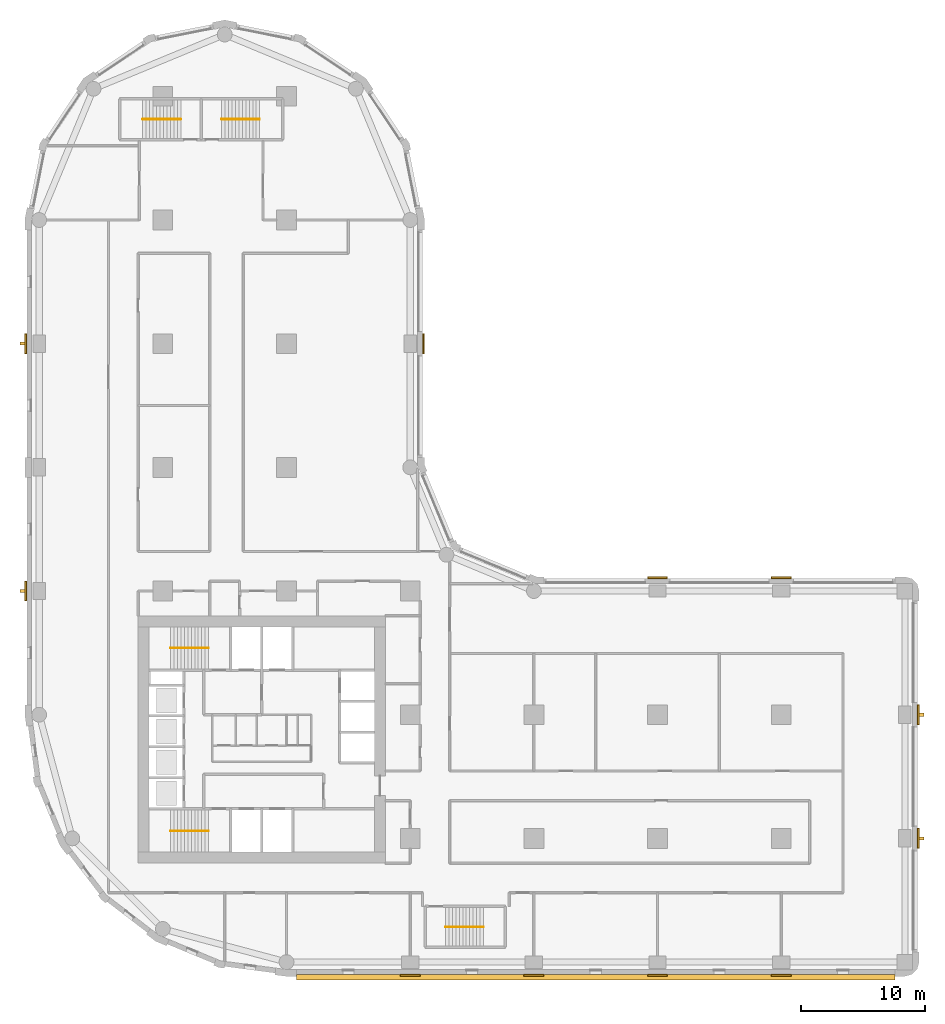
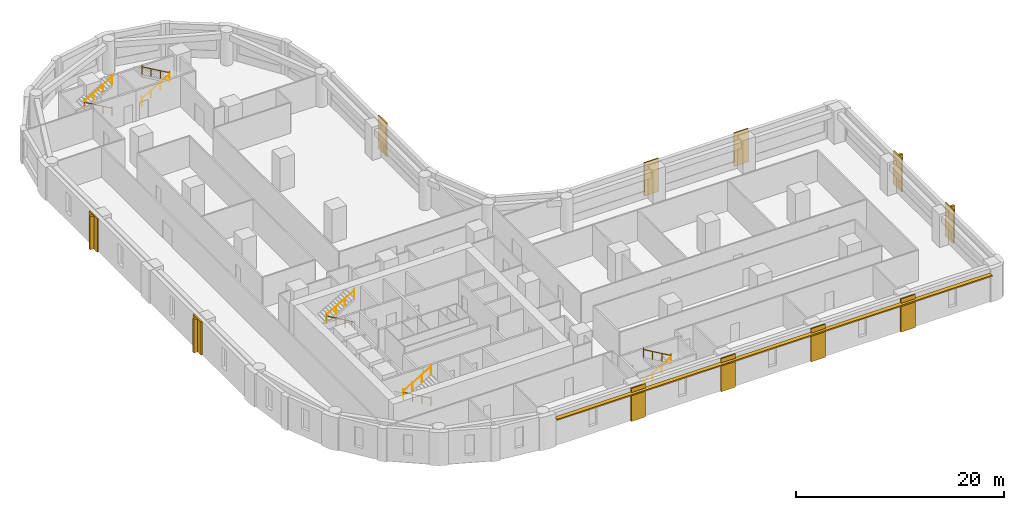
# One storey, part 10 of 11: 11 coverings, 10 railings, 5 shading devices.
"""IFC4 building model written with IfcOpenShell, lengths in metres."""

from ifc_helpers import new_model, si_unit, direction, frame, origin, origin_2d, place, context, subcontext, project, spatial, polyline, rectangle, circle, outline, extrude, material, layer, layer_set, type_object, element, save


model = new_model("IFC4")

# Units and contexts
model_context = context("Model", 3, precision=1e-05, world=origin(), true_north=direction((0.0, 1.0)))
body_context = subcontext(model_context, "Body", "Model", "MODEL_VIEW")
ifc_project = project(units=[si_unit("LENGTHUNIT", "METRE"), si_unit("AREAUNIT", "SQUARE_METRE"), si_unit("VOLUMEUNIT", "CUBIC_METRE"), si_unit("PLANEANGLEUNIT", "RADIAN"), si_unit("MASSUNIT", "GRAM", prefix="KILO")], contexts=[model_context])

# Site, building, storey
site_placement = place(None, origin())
site = spatial("IfcSite", under=ifc_project, at=site_placement, CompositionType="ELEMENT")
building_placement = place(site_placement, origin())
building = spatial("IfcBuilding", under=site, at=building_placement, Name="Qaws Garden Tower", CompositionType="ELEMENT")
storey_placement = place(building_placement, frame((0.0, 0.0, 90.0)))
storey = spatial("IfcBuildingStorey", under=building, at=storey_placement, Name="L22", CompositionType="ELEMENT", Elevation=90.0)

# Coverings
ifc_material_1 = material(Name="Clay facing brick masonry", Category="masonry")
ifc_layer_1 = layer(ifc_material_1, 0.14990234375)
ifc_layer_set_1 = layer_set([ifc_layer_1], Name="Clay facing brick masonry")
covering_type = type_object("IfcCoveringType", Name="Brick pilaster facing 150 x 1600", PredefinedType="CLADDING", material=ifc_layer_set_1)
placement = place(storey_placement, origin())
element("IfcCovering", 1, at=placement, inside=storey, type_object=covering_type, Name="E-L22-pier-01", PredefinedType="CLADDING", context=body_context, shape_type="SweptSolid", body=[
    extrude(outline(polyline([(29.199951171875, -1.0), (30.800048828125, -1.0), (30.800048828125, -1.14990234375), (29.199951171875, -1.14990234375), (29.199951171875, -1.0)])), origin(), (0.0, 0.0, 1.0), 3.89990234375),
])
element("IfcCovering", 2, at=placement, inside=storey, type_object=covering_type, Name="E-L22-pier-02", PredefinedType="CLADDING", context=body_context, shape_type="SweptSolid", body=[
    extrude(outline(polyline([(39.199951171875, -1.0), (40.800048828125, -1.0), (40.800048828125, -1.14990234375), (39.199951171875, -1.14990234375), (39.199951171875, -1.0)])), origin(), (0.0, 0.0, 1.0), 3.89990234375),
])
element("IfcCovering", 3, at=placement, inside=storey, type_object=covering_type, Name="E-L22-pier-03", PredefinedType="CLADDING", context=body_context, shape_type="SweptSolid", body=[
    extrude(outline(polyline([(49.199951171875, -1.0), (50.800048828125, -1.0), (50.800048828125, -1.14990234375), (49.199951171875, -1.14990234375), (49.199951171875, -1.0)])), origin(), (0.0, 0.0, 1.0), 3.89990234375),
])
element("IfcCovering", 4, at=placement, inside=storey, type_object=covering_type, Name="E-L22-pier-04", PredefinedType="CLADDING", context=body_context, shape_type="SweptSolid", body=[
    extrude(outline(polyline([(59.199951171875, -1.0), (60.800048828125, -1.0), (60.800048828125, -1.14990234375), (59.199951171875, -1.14990234375), (59.199951171875, -1.0)])), origin(), (0.0, 0.0, 1.0), 3.89990234375),
])
element("IfcCovering", 5, at=placement, inside=storey, type_object=covering_type, Name="E-L22-pier-06", PredefinedType="CLADDING", context=body_context, shape_type="SweptSolid", body=[
    extrude(outline(polyline([(71.0, 9.199951171875), (71.0, 10.800048828125), (71.14990234375, 10.800048828125), (71.14990234375, 9.199951171875), (71.0, 9.199951171875)])), origin(), (0.0, 0.0, 1.0), 3.89990234375),
])
element("IfcCovering", 6, at=placement, inside=storey, type_object=covering_type, Name="E-L22-pier-07", PredefinedType="CLADDING", context=body_context, shape_type="SweptSolid", body=[
    extrude(outline(polyline([(71.0, 19.199951171875), (71.0, 20.800048828125), (71.14990234375, 20.800048828125), (71.14990234375, 19.199951171875), (71.0, 19.199951171875)])), origin(), (0.0, 0.0, 1.0), 3.89990234375),
])
element("IfcCovering", 7, at=placement, inside=storey, type_object=covering_type, Name="E-L22-pier-09", PredefinedType="CLADDING", context=body_context, shape_type="SweptSolid", body=[
    extrude(outline(polyline([(60.800048828125, 31.0), (59.199951171875, 31.0), (59.199951171875, 31.14990234375), (60.800048828125, 31.14990234375), (60.800048828125, 31.0)])), origin(), (0.0, 0.0, 1.0), 3.89990234375),
])
element("IfcCovering", 8, at=placement, inside=storey, type_object=covering_type, Name="E-L22-pier-10", PredefinedType="CLADDING", context=body_context, shape_type="SweptSolid", body=[
    extrude(outline(polyline([(50.800048828125, 31.0), (49.199951171875, 31.0), (49.199951171875, 31.14990234375), (50.800048828125, 31.14990234375), (50.800048828125, 31.0)])), origin(), (0.0, 0.0, 1.0), 3.89990234375),
])
element("IfcCovering", 9, at=placement, inside=storey, type_object=covering_type, Name="E-L22-pier-14", PredefinedType="CLADDING", context=body_context, shape_type="SweptSolid", body=[
    extrude(outline(polyline([(31.0, 49.199951171875), (31.0, 50.800048828125), (31.14990234375, 50.800048828125), (31.14990234375, 49.199951171875), (31.0, 49.199951171875)])), origin(), (0.0, 0.0, 1.0), 3.89990234375),
])
element("IfcCovering", 10, at=placement, inside=storey, type_object=covering_type, Name="E-L22-pier-24", PredefinedType="CLADDING", context=body_context, shape_type="SweptSolid", body=[
    extrude(outline(polyline([(-1.0, 50.800048828125), (-1.0, 49.199951171875), (-1.14990234375, 49.199951171875), (-1.14990234375, 50.800048828125), (-1.0, 50.800048828125)])), origin(), (0.0, 0.0, 1.0), 3.89990234375),
])
element("IfcCovering", 11, at=placement, inside=storey, type_object=covering_type, Name="E-L22-pier-26", PredefinedType="CLADDING", context=body_context, shape_type="SweptSolid", body=[
    extrude(outline(polyline([(-1.0, 30.800048828125), (-1.0, 29.199951171875), (-1.14990234375, 29.199951171875), (-1.14990234375, 30.800048828125), (-1.0, 30.800048828125)])), origin(), (0.0, 0.0, 1.0), 3.89990234375),
])

# Shading devices
ifc_material_2 = material(Name="Clay facing brick masonry", Category="masonry")
ifc_layer_2 = layer(ifc_material_2, 0.14990234375)
ifc_layer_set_2 = layer_set([ifc_layer_2], Name="Clay facing brick masonry")
shading_device_type_1 = type_object("IfcShadingDeviceType", Name="Brick sunshade band 450 x 150", PredefinedType="JALOUSIE", material=ifc_layer_set_2)
shading_device_placement = place(storey_placement, frame((0.0, 0.0, 3.25)))
element("IfcShadingDevice", 12, at=shading_device_placement, inside=storey, type_object=shading_device_type_1, Name="SUNSHADE 00", PredefinedType="JALOUSIE", context=body_context, shape_type="SweptSolid", body=[
    extrude(outline(polyline([(20.800048828125, -1.0), (20.800048828125, -1.449951171875), (69.199951171875, -1.449951171875), (69.199951171875, -1.0), (60.800048828125, -1.0), (60.800048828125, -1.14990234375), (59.199951171875, -1.14990234375), (59.199951171875, -1.0), (50.800048828125, -1.0), (50.800048828125, -1.14990234375), (49.199951171875, -1.14990234375), (49.199951171875, -1.0), (40.800048828125, -1.0), (40.800048828125, -1.14990234375), (39.199951171875, -1.14990234375), (39.199951171875, -1.0), (30.800048828125, -1.0), (30.800048828125, -1.14990234375), (29.199951171875, -1.14990234375), (29.199951171875, -1.0), (20.800048828125, -1.0)])), origin(), (0.0, 0.0, 1.0), 0.14990234375),
])
ifc_material_3 = material(Name="Clay facing brick masonry", Category="masonry")
ifc_layer_3 = layer(ifc_material_3, 0.25)
ifc_layer_set_3 = layer_set([ifc_layer_3], Name="Clay facing brick masonry")
shading_device_type_2 = type_object("IfcShadingDeviceType", Name="Brick-faced fin 250 x 400", PredefinedType="USERDEFINED", material=ifc_layer_set_3)
for number, where, z_axis, x_axis, name in (
    (13, (71.35009765625, 10.0, 0.0), (0.0, 0.0, 1.0), (0.0, 1.0, 0.0), "FIN 06"),
    (14, (71.35009765625, 20.0, 0.0), (0.0, 0.0, 1.0), (0.0, 1.0, 0.0), "FIN 07"),
    (15, (-1.35009765625, 50.0, 0.0), (0.0, 0.0, 1.0), (0.0, -1.0, 0.0), "FIN 24"),
    (16, (-1.35009765625, 30.0, 0.0), (0.0, 0.0, 1.0), (0.0, -1.0, 0.0), "FIN 26"),
):
    element("IfcShadingDevice", number, at=place(storey_placement, frame(where, z_axis=z_axis, x_axis=x_axis)), inside=storey, type_object=shading_device_type_2, Name=name, ObjectType="FIN", PredefinedType="USERDEFINED", context=body_context, shape_type="SweptSolid", body=[
        extrude(rectangle(XDim=0.25, YDim=0.39990234375, at=origin_2d()), origin(), (0.0, 0.0, 1.0), 3.89990234375),
    ])

# Railings
ifc_material_4 = material(Name="Steel S355", Category="steel")
railing_type = type_object("IfcRailingType", Name="Stair handrail 900", PredefinedType="HANDRAIL", material=ifc_material_4)
railing_1_placement = place(storey_placement, frame((13.699951171875, 10.60009765625, 0.16259765625)))
element("IfcRailing", 17, at=railing_1_placement, inside=storey, type_object=railing_type, Name="Stair 1 handrail", PredefinedType="HANDRAIL", context=body_context, shape_type="SweptSolid", body=[
    extrude(circle(Radius=0.02392578125, at=origin_2d()), frame((0.0, 0.0, 0.8759765625), z_axis=(-0.864903211148, 0.0, 0.501938676878), x_axis=(0.0, -1.0, 0.0)), (0.0, 0.0, 1.0), 3.560791015625),
    extrude(circle(Radius=0.02099609375, at=origin_2d()), origin(), (0.0, 0.0, 1.0), 1.06201171875),
    extrude(circle(Radius=0.02099609375, at=origin_2d()), frame((-1.026611328125, 0.0, 0.595703125)), (0.0, 0.0, 1.0), 0.851806640625),
    extrude(circle(Radius=0.02099609375, at=origin_2d()), frame((-2.05322265625, 0.0, 1.191650390625)), (0.0, 0.0, 1.0), 0.851806640625),
    extrude(circle(Radius=0.02099609375, at=origin_2d()), frame((-3.079833984375, 0.0, 1.787353515625)), (0.0, 0.0, 1.0), 1.06201171875),
])
railing_2_placement = place(storey_placement, frame((10.6201171875, 10.60009765625, 2.112548828125)))
element("IfcRailing", 18, at=railing_2_placement, inside=storey, type_object=railing_type, Name="Stair 1 handrail", PredefinedType="HANDRAIL", context=body_context, shape_type="SweptSolid", body=[
    extrude(circle(Radius=0.02392578125, at=origin_2d()), frame((0.0, 0.0, 0.8759765625), z_axis=(0.864903211148, 0.0, 0.501938676878), x_axis=(0.0, 1.0, 0.0)), (0.0, 0.0, 1.0), 3.560791015625),
    extrude(circle(Radius=0.02099609375, at=origin_2d()), origin(), (0.0, 0.0, 1.0), 1.06201171875),
    extrude(circle(Radius=0.02099609375, at=origin_2d()), frame((1.026611328125, 0.0, 0.595703125)), (0.0, 0.0, 1.0), 0.851806640625),
    extrude(circle(Radius=0.02099609375, at=origin_2d()), frame((2.05322265625, 0.0, 1.191650390625)), (0.0, 0.0, 1.0), 0.851806640625),
    extrude(circle(Radius=0.02099609375, at=origin_2d()), frame((3.079833984375, 0.0, 1.787353515625)), (0.0, 0.0, 1.0), 1.06201171875),
])
railing_3_placement = place(storey_placement, frame((13.699951171875, 25.39990234375, 0.16259765625)))
element("IfcRailing", 19, at=railing_3_placement, inside=storey, type_object=railing_type, Name="Stair 4 handrail", PredefinedType="HANDRAIL", context=body_context, shape_type="SweptSolid", body=[
    extrude(circle(Radius=0.02392578125, at=origin_2d()), frame((0.0, 0.0, 0.8759765625), z_axis=(-0.864903211148, 0.0, 0.501938676878), x_axis=(0.0, -1.0, 0.0)), (0.0, 0.0, 1.0), 3.560791015625),
    extrude(circle(Radius=0.02099609375, at=origin_2d()), origin(), (0.0, 0.0, 1.0), 1.06201171875),
    extrude(circle(Radius=0.02099609375, at=origin_2d()), frame((-1.026611328125, 0.0, 0.595703125)), (0.0, 0.0, 1.0), 0.851806640625),
    extrude(circle(Radius=0.02099609375, at=origin_2d()), frame((-2.05322265625, 0.0, 1.191650390625)), (0.0, 0.0, 1.0), 0.851806640625),
    extrude(circle(Radius=0.02099609375, at=origin_2d()), frame((-3.079833984375, 0.0, 1.787353515625)), (0.0, 0.0, 1.0), 1.06201171875),
])
for number, where, name in (
    (20, (10.6201171875, 25.39990234375, 2.112548828125), "Stair 4 handrail"),
    (21, (32.85009765625, 2.85009765625, 0.16259765625), "Stair 5 handrail"),
):
    element("IfcRailing", number, at=place(storey_placement, frame(where)), inside=storey, type_object=railing_type, Name=name, PredefinedType="HANDRAIL", context=body_context, shape_type="SweptSolid", body=[
        extrude(circle(Radius=0.02392578125, at=origin_2d()), frame((0.0, 0.0, 0.8759765625), z_axis=(0.864903211148, 0.0, 0.501938676878), x_axis=(0.0, 1.0, 0.0)), (0.0, 0.0, 1.0), 3.560791015625),
        extrude(circle(Radius=0.02099609375, at=origin_2d()), origin(), (0.0, 0.0, 1.0), 1.06201171875),
        extrude(circle(Radius=0.02099609375, at=origin_2d()), frame((1.026611328125, 0.0, 0.595703125)), (0.0, 0.0, 1.0), 0.851806640625),
        extrude(circle(Radius=0.02099609375, at=origin_2d()), frame((2.05322265625, 0.0, 1.191650390625)), (0.0, 0.0, 1.0), 0.851806640625),
        extrude(circle(Radius=0.02099609375, at=origin_2d()), frame((3.079833984375, 0.0, 1.787353515625)), (0.0, 0.0, 1.0), 1.06201171875),
    ])
for number, where, name in (
    (22, (35.929931640625, 2.85009765625, 2.112548828125), "Stair 5 handrail"),
    (23, (11.449951171875, 68.14990234375, 0.16259765625), "Stair 6 handrail"),
):
    element("IfcRailing", number, at=place(storey_placement, frame(where)), inside=storey, type_object=railing_type, Name=name, PredefinedType="HANDRAIL", context=body_context, shape_type="SweptSolid", body=[
        extrude(circle(Radius=0.02392578125, at=origin_2d()), frame((0.0, 0.0, 0.8759765625), z_axis=(-0.864903211148, 0.0, 0.501938676878), x_axis=(0.0, -1.0, 0.0)), (0.0, 0.0, 1.0), 3.560791015625),
        extrude(circle(Radius=0.02099609375, at=origin_2d()), origin(), (0.0, 0.0, 1.0), 1.06201171875),
        extrude(circle(Radius=0.02099609375, at=origin_2d()), frame((-1.026611328125, 0.0, 0.595703125)), (0.0, 0.0, 1.0), 0.851806640625),
        extrude(circle(Radius=0.02099609375, at=origin_2d()), frame((-2.05322265625, 0.0, 1.191650390625)), (0.0, 0.0, 1.0), 0.851806640625),
        extrude(circle(Radius=0.02099609375, at=origin_2d()), frame((-3.079833984375, 0.0, 1.787353515625)), (0.0, 0.0, 1.0), 1.06201171875),
    ])
railing_4_placement = place(storey_placement, frame((8.3701171875, 68.14990234375, 2.112548828125)))
element("IfcRailing", 24, at=railing_4_placement, inside=storey, type_object=railing_type, Name="Stair 6 handrail", PredefinedType="HANDRAIL", context=body_context, shape_type="SweptSolid", body=[
    extrude(circle(Radius=0.02392578125, at=origin_2d()), frame((0.0, 0.0, 0.8759765625), z_axis=(0.864903211148, 0.0, 0.501938676878), x_axis=(0.0, 1.0, 0.0)), (0.0, 0.0, 1.0), 3.560791015625),
    extrude(circle(Radius=0.02099609375, at=origin_2d()), origin(), (0.0, 0.0, 1.0), 1.06201171875),
    extrude(circle(Radius=0.02099609375, at=origin_2d()), frame((1.026611328125, 0.0, 0.595703125)), (0.0, 0.0, 1.0), 0.851806640625),
    extrude(circle(Radius=0.02099609375, at=origin_2d()), frame((2.05322265625, 0.0, 1.191650390625)), (0.0, 0.0, 1.0), 0.851806640625),
    extrude(circle(Radius=0.02099609375, at=origin_2d()), frame((3.079833984375, 0.0, 1.787353515625)), (0.0, 0.0, 1.0), 1.06201171875),
])
railing_5_placement = place(storey_placement, frame((14.75, 68.14990234375, 0.16259765625)))
element("IfcRailing", 25, at=railing_5_placement, inside=storey, type_object=railing_type, Name="Stair 7 handrail", PredefinedType="HANDRAIL", context=body_context, shape_type="SweptSolid", body=[
    extrude(circle(Radius=0.02392578125, at=origin_2d()), frame((0.0, 0.0, 0.8759765625), z_axis=(0.864920483161, 0.0, 0.501908913857), x_axis=(0.0, 1.0, 0.0)), (0.0, 0.0, 1.0), 3.56103515625),
    extrude(circle(Radius=0.02099609375, at=origin_2d()), origin(), (0.0, 0.0, 1.0), 1.06201171875),
    extrude(circle(Radius=0.02099609375, at=origin_2d()), frame((1.026611328125, 0.0, 0.595703125)), (0.0, 0.0, 1.0), 0.851806640625),
    extrude(circle(Radius=0.02099609375, at=origin_2d()), frame((2.053466796875, 0.0, 1.191650390625)), (0.0, 0.0, 1.0), 0.851806640625),
    extrude(circle(Radius=0.02099609375, at=origin_2d()), frame((3.080078125, 0.0, 1.787353515625)), (0.0, 0.0, 1.0), 1.06201171875),
])
railing_6_placement = place(storey_placement, frame((17.830078125, 68.14990234375, 2.112548828125)))
element("IfcRailing", 26, at=railing_6_placement, inside=storey, type_object=railing_type, Name="Stair 7 handrail", PredefinedType="HANDRAIL", context=body_context, shape_type="SweptSolid", body=[
    extrude(circle(Radius=0.02392578125, at=origin_2d()), frame((0.0, 0.0, 0.8759765625), z_axis=(-0.864920483161, 0.0, 0.501908913857), x_axis=(0.0, -1.0, 0.0)), (0.0, 0.0, 1.0), 3.56103515625),
    extrude(circle(Radius=0.02099609375, at=origin_2d()), origin(), (0.0, 0.0, 1.0), 1.06201171875),
    extrude(circle(Radius=0.02099609375, at=origin_2d()), frame((-1.026611328125, 0.0, 0.595703125)), (0.0, 0.0, 1.0), 0.851806640625),
    extrude(circle(Radius=0.02099609375, at=origin_2d()), frame((-2.053466796875, 0.0, 1.191650390625)), (0.0, 0.0, 1.0), 0.851806640625),
    extrude(circle(Radius=0.02099609375, at=origin_2d()), frame((-3.080078125, 0.0, 1.787353515625)), (0.0, 0.0, 1.0), 1.06201171875),
])

save(model, "model.ifc")
